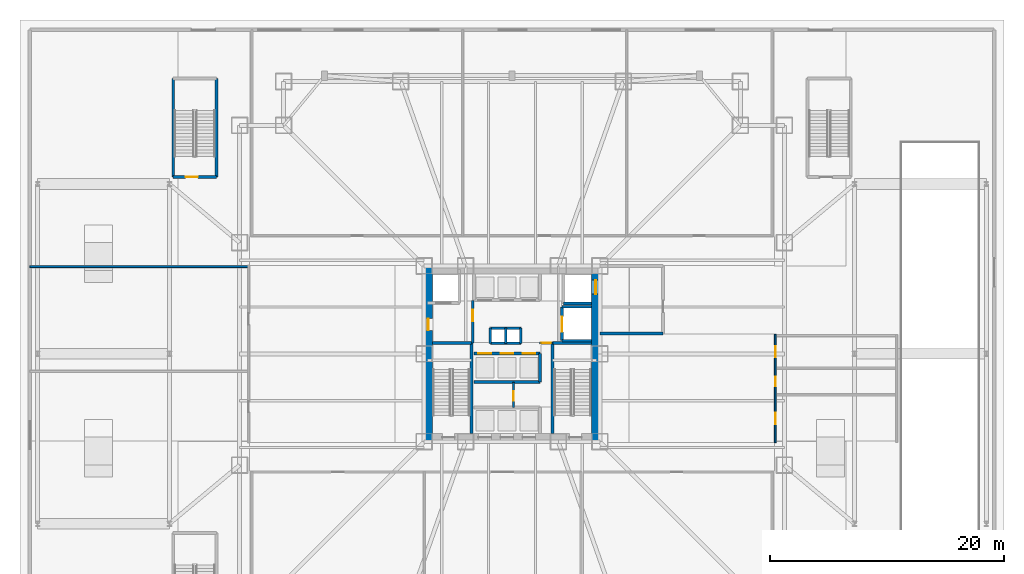
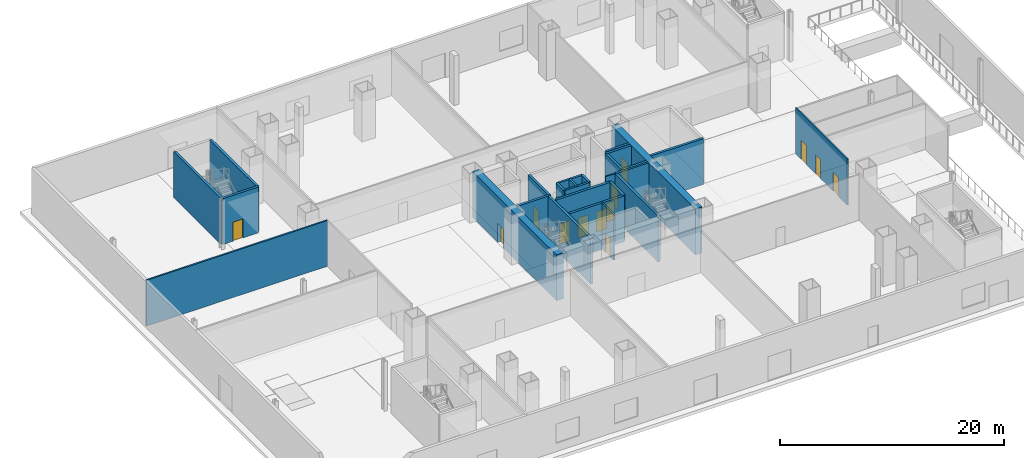
# One storey, part 8 of 24: 27 walls, 13 doors, 13 openings.
"""IFC4 building model written with IfcOpenShell, lengths in metres."""

import ifcopenshell
import ifcopenshell.guid

model = None  # the IFC model being written
_history = None  # IfcOwnerHistory: only IFC2X3 demands one
_inside = {}  # id of a spatial element -> (the spatial element, [elements in it])
_under = {}  # id of a project, library or spatial element -> (it, [spatial elements below it])
_declared = {}  # id of a project -> (the project, [libraries it declares])
_typed = {}  # id of a type object -> (the type object, [elements of that type])
_made_of = {}  # id of a material, layer set ... -> (it, [elements and type objects made of it])


def new_model(schema):
    """Start an empty IFC model of exactly this schema.

    Asked for "IFC4X3", IfcOpenShell would pick the latest addendum, in which some entities
    have other attributes; the version numbers below select the first issue.
    IFC2X3 requires an IfcOwnerHistory on every rooted entity: one is made here for all.
    """
    global model, _history
    if schema == "IFC4X3":
        model = ifcopenshell.file(schema_version=(4, 3, 0, 0))
    else:
        model = ifcopenshell.file(schema=schema)
    _inside.clear()
    _under.clear()
    _declared.clear()
    _typed.clear()
    _made_of.clear()
    _history = None
    if model.schema == "IFC2X3":
        org = make("IfcOrganization", Name="unknown")
        user = make(
            "IfcPersonAndOrganization",
            ThePerson=make("IfcPerson", FamilyName="unknown"),
            TheOrganization=org,
        )
        app = make(
            "IfcApplication",
            ApplicationDeveloper=org,
            Version="unknown",
            ApplicationFullName="unknown",
            ApplicationIdentifier="unknown",
        )
        _history = make(
            "IfcOwnerHistory",
            OwningUser=user,
            OwningApplication=app,
            ChangeAction="ADDED",
            CreationDate=0,
        )
    return model


def make(cls, **values):
    """One entity of the class cls with the attributes given. An attribute that is None is left unset."""
    return model.create_entity(
        cls, **{name: value for name, value in values.items() if value is not None}
    )


def rooted(cls, **values):
    """An entity with a GlobalId (a new one), such as an element, a storey or a relation."""
    return make(cls, GlobalId=ifcopenshell.guid.new(), OwnerHistory=_history, **values)


def si_unit(unit_type, name, prefix=None):
    """IfcSIUnit, for example si_unit("LENGTHUNIT", "METRE", prefix="MILLI")."""
    return make("IfcSIUnit", UnitType=unit_type, Prefix=prefix, Name=name)


def assignment(units):
    """IfcUnitAssignment: the units of a project."""
    return None if units is None else make("IfcUnitAssignment", Units=units)


def point(xyz):
    """IfcCartesianPoint."""
    return None if xyz is None else make("IfcCartesianPoint", Coordinates=xyz)


def direction(xyz):
    """IfcDirection."""
    return None if xyz is None else make("IfcDirection", DirectionRatios=xyz)


def frame(location, z_axis=None, x_axis=None):
    """IfcAxis2Placement3D, a coordinate frame: its origin and axes. An axis left out is left unset."""
    return make(
        "IfcAxis2Placement3D",
        Location=point(location),
        Axis=direction(z_axis),
        RefDirection=direction(x_axis),
    )


def frame_2d(location, x_axis=None):
    """IfcAxis2Placement2D, a coordinate frame in the plane: its origin and x axis."""
    return make(
        "IfcAxis2Placement2D", Location=point(location), RefDirection=direction(x_axis)
    )


def origin():
    """The frame at (0, 0, 0) with its axes left unset."""
    return frame((0.0, 0.0, 0.0))


def place(relative_to, where):
    """IfcLocalPlacement: puts the frame where relative to a parent placement (None: the world)."""
    return make(
        "IfcLocalPlacement", PlacementRelTo=relative_to, RelativePlacement=where
    )


def context(
    kind, dimensions, precision=None, world=None, true_north=None, identifier=None
):
    """IfcGeometricRepresentationContext, for example the 3D "Model" context."""
    return make(
        "IfcGeometricRepresentationContext",
        ContextIdentifier=identifier,
        ContextType=kind,
        CoordinateSpaceDimension=dimensions,
        Precision=precision,
        WorldCoordinateSystem=world,
        TrueNorth=true_north,
    )


def subcontext(parent, identifier, kind, view, scale=None):
    """IfcGeometricRepresentationSubContext, for example "Body" below "Model"."""
    return make(
        "IfcGeometricRepresentationSubContext",
        ContextIdentifier=identifier,
        ContextType=kind,
        ParentContext=parent,
        TargetScale=scale,
        TargetView=view,
    )


def project(units=None, contexts=None):
    """IfcProject with its units and contexts."""
    return rooted(
        "IfcProject",
        Name="project",
        RepresentationContexts=contexts,
        UnitsInContext=assignment(units),
    )


def spatial(cls, under=None, at=None, **own):
    """A site, building, storey or space (cls), placed at a placement, below another one or the project."""
    s = rooted(cls, ObjectPlacement=at, **own)
    if under is not None:
        _under.setdefault(under.id(), (under, []))[1].append(s)
    return s


def profile(cls, at=None, kind="AREA", **sizes):
    """A parametric profile (cls). Its sizes go by their IFC names, for example OverallWidth=200.0."""
    return make(cls, ProfileType=kind, Position=at, **sizes)


def rectangle(**sizes):
    """IfcRectangleProfileDef."""
    return profile("IfcRectangleProfileDef", **sizes)


def extrude(swept, where, along, depth):
    """IfcExtrudedAreaSolid: the profile swept, set in the frame where, extruded along a direction by depth."""
    return make(
        "IfcExtrudedAreaSolid",
        SweptArea=swept,
        Position=where,
        ExtrudedDirection=direction(along),
        Depth=depth,
    )


def shape(context_of_items, identifier, shape_type, items):
    """IfcShapeRepresentation: the items that make up one representation, for example the "Body"."""
    return make(
        "IfcShapeRepresentation",
        ContextOfItems=context_of_items,
        RepresentationIdentifier=identifier,
        RepresentationType=shape_type,
        Items=items,
    )


def material(Name=None, Category=None):
    """IfcMaterial."""
    return make("IfcMaterial", Name=Name, Category=Category)


def layer(
    of_material, thickness, ventilated=None, Name=None, Category=None, Priority=None
):
    """IfcMaterialLayer: one layer of a wall or slab, of a material (None: an air gap)."""
    return make(
        "IfcMaterialLayer",
        Material=of_material,
        LayerThickness=thickness,
        IsVentilated=ventilated,
        Name=Name,
        Category=Category,
        Priority=Priority,
    )


def layer_set(layers, Name=None):
    """IfcMaterialLayerSet."""
    return make("IfcMaterialLayerSet", MaterialLayers=layers, LayerSetName=Name)


def made_of(thing, what):
    """Note that an element or type object is made of a material, layer set ...; save() writes the relation."""
    if what is not None:
        _made_of.setdefault(what.id(), (what, []))[1].append(thing)
    return thing


def type_object(cls, material=None, **own):
    """A type object (cls), such as IfcWallType, which elements share."""
    return made_of(rooted(cls, **own), material)


def element(
    cls,
    number,
    at=None,
    inside=None,
    cuts=None,
    type_object=None,
    material=None,
    context=None,
    identifier="Body",
    shape_type=None,
    held_by="IfcProductDefinitionShape",
    body=None,
    shapes=None,
    **own,
):
    """One element of the class cls, such as IfcWall. Its Tag is "e" and its number.

    at: its placement. inside: the storey or other place that contains it. cuts: it is an
    opening in that element (IfcRelVoidsElement). A single representation is given by context,
    identifier, shape_type and body (its items); several are given by shapes. held_by: the class
    of the entity that holds the representations. save() writes the other relations.
    """
    e = rooted(cls, Tag="e%d" % number, ObjectPlacement=at, **own)
    if body is not None:
        shapes = [shape(context, identifier, shape_type, body)]
    if shapes is not None:
        e.Representation = make(held_by, Representations=shapes)
    if inside is not None:
        _inside.setdefault(inside.id(), (inside, []))[1].append(e)
    if cuts is not None:
        rooted(
            "IfcRelVoidsElement", RelatingBuildingElement=cuts, RelatedOpeningElement=e
        )
    if type_object is not None:
        _typed.setdefault(type_object.id(), (type_object, []))[1].append(e)
    return made_of(e, material)


def fill(opening, filler):
    """IfcRelFillsElement: the door or window that sits in an opening."""
    return rooted(
        "IfcRelFillsElement",
        RelatingOpeningElement=opening,
        RelatedBuildingElement=filler,
    )


def aggregate(whole, parts):
    """IfcRelAggregates: a whole, such as a stair, and the parts it consists of."""
    return rooted("IfcRelAggregates", RelatingObject=whole, RelatedObjects=parts)


def save(model, path):
    """Write the relations noted so far, then the file.

    IfcRelAggregates (storeys below a building ...), IfcRelContainedInSpatialStructure (elements
    in a storey), IfcRelDefinesByType, IfcRelAssociatesMaterial and IfcRelDeclares: one each for
    every whole, place, type object, material and project.
    """
    for whole, parts in _under.values():
        aggregate(whole, parts)
    for where, things in _inside.values():
        rooted(
            "IfcRelContainedInSpatialStructure",
            RelatedElements=things,
            RelatingStructure=where,
        )
    for kind, things in _typed.values():
        rooted("IfcRelDefinesByType", RelatedObjects=things, RelatingType=kind)
    for what, things in _made_of.values():
        rooted("IfcRelAssociatesMaterial", RelatedObjects=things, RelatingMaterial=what)
    for by, libraries in _declared.values():
        rooted("IfcRelDeclares", RelatingContext=by, RelatedDefinitions=libraries)
    model.write(path)


model = new_model("IFC4")

# Units and contexts
model_context = context("Model", 3, precision=1e-05, world=origin(), true_north=direction((0.0, 1.0)))
body_context = subcontext(model_context, "Body", "Model", "MODEL_VIEW")
ifc_project = project(units=[si_unit("LENGTHUNIT", "METRE"), si_unit("AREAUNIT", "SQUARE_METRE"), si_unit("VOLUMEUNIT", "CUBIC_METRE"), si_unit("PLANEANGLEUNIT", "RADIAN"), si_unit("MASSUNIT", "GRAM", prefix="KILO")], contexts=[model_context])

# Site, building, storey
site_placement = place(None, origin())
site = spatial("IfcSite", under=ifc_project, at=site_placement, CompositionType="ELEMENT")
building_placement = place(site_placement, origin())
building = spatial("IfcBuilding", under=site, at=building_placement, Name="Trevonay Congress Spire", CompositionType="ELEMENT")
storey_placement = place(building_placement, origin())
storey = spatial("IfcBuildingStorey", under=building, at=storey_placement, Name="L00", CompositionType="ELEMENT", Elevation=0.0)

# Wall, opening, door
ifc_material_1 = material(Name="Concrete C60/75", Category="concrete")
ifc_layer_1 = layer(ifc_material_1, 0.699951171875, Name="Concrete C60/75")
ifc_layer_set_1 = layer_set([ifc_layer_1], Name="Concrete C60/75")
wall_type_1 = type_object("IfcWallType", Name="WAL-CORE-700", PredefinedType="SHEAR", material=ifc_layer_set_1)
wall_1_placement = place(storey_placement, frame((-7.14990234375, -7.5, 0.0), z_axis=(0.0, 0.0, 1.0), x_axis=(0.0, 1.0, 0.0)))
wall_1 = element("IfcWall", 1, at=wall_1_placement, inside=storey, type_object=wall_type_1, Name="L00 West structural core shear wall", PredefinedType="SHEAR", context=body_context, shape_type="SweptSolid", body=[
    extrude(rectangle(XDim=15.0, YDim=0.699951171875, at=frame_2d((7.5, 0.0))), origin(), (0.0, 0.0, 1.0), 5.0),
])
opening_1_placement = place(wall_1_placement, frame((9.5, 0.0, 0.0)))
opening_1 = element("IfcOpeningElement", 2, at=opening_1_placement, cuts=wall_1, Name="Opening D06", PredefinedType="OPENING", context=body_context, shape_type="SweptSolid", body=[
    extrude(rectangle(XDim=1.0, YDim=2.080078125, at=frame_2d((0.5, 1.0400390625))), frame((0.0, 0.35986328125, 0.0), z_axis=(0.0, -1.0, 0.0), x_axis=(1.0, 0.0, 0.0)), (0.0, 0.0, 1.0), 0.719970703125),
])
ifc_material_2 = material(Name="Steel ASTM A572 Grade 50", Category="steel")
door_type_1 = type_object("IfcDoorType", Name="DOR-FIRE-100", OperationType="NOTDEFINED", PredefinedType="DOOR", material=ifc_material_2)
door_1_placement = place(opening_1_placement, origin())
door_1 = element("IfcDoor", 3, at=door_1_placement, inside=storey, type_object=door_type_1, Name="L00 Firefighting Lift Lobby West Corridor Door", OperationType="SINGLE_SWING_LEFT", OverallHeight=2.080078125, OverallWidth=1.0, PredefinedType="DOOR", context=body_context, shape_type="SweptSolid", body=[
    extrude(rectangle(XDim=1.0, YDim=2.080078125, at=frame_2d((0.5, 1.0400390625))), frame((0.0, 0.02490234375, 0.0), z_axis=(0.0, -1.0, 0.0), x_axis=(1.0, 0.0, 0.0)), (0.0, 0.0, 1.0), 0.050048828125),
])
fill(opening_1, door_1)

wall_2_placement = place(storey_placement, frame((7.14990234375, -7.5, 0.0), z_axis=(0.0, 0.0, 1.0), x_axis=(0.0, 1.0, 0.0)))
wall_2 = element("IfcWall", 4, at=wall_2_placement, inside=storey, type_object=wall_type_1, Name="L00 East structural core shear wall", PredefinedType="SHEAR", context=body_context, shape_type="SweptSolid", body=[
    extrude(rectangle(XDim=15.0, YDim=0.699951171875, at=frame_2d((7.5, 0.0))), origin(), (0.0, 0.0, 1.0), 5.0),
])
opening_2_placement = place(wall_2_placement, frame((12.60009765625, 0.0, 0.0)))
opening_2 = element("IfcOpeningElement", 5, at=opening_2_placement, cuts=wall_2, Name="Opening LD04", PredefinedType="OPENING", context=body_context, shape_type="SweptSolid", body=[
    extrude(rectangle(XDim=1.199951171875, YDim=2.199951171875, at=frame_2d((0.60009765625, 1.10009765625))), frame((0.0, 0.35986328125, 0.0), z_axis=(0.0, -1.0, 0.0), x_axis=(1.0, 0.0, 0.0)), (0.0, 0.0, 1.0), 0.719970703125),
])
door_type_2 = type_object("IfcDoorType", Name="DOR-LIFT-LD04", OperationType="DOUBLE_DOOR_SLIDING", PredefinedType="DOOR", material=ifc_material_2)
door_2_placement = place(opening_2_placement, origin())
door_2 = element("IfcDoor", 6, at=door_2_placement, inside=storey, type_object=door_type_2, Name="L00 Firefighting lift FFL-02 landing door", OperationType="DOUBLE_DOOR_SLIDING", OverallHeight=2.199951171875, OverallWidth=1.199951171875, PredefinedType="DOOR", context=body_context, shape_type="SweptSolid", body=[
    extrude(rectangle(XDim=1.199951171875, YDim=2.199951171875, at=frame_2d((0.60009765625, 1.10009765625))), frame((0.0, 0.02490234375, 0.0), z_axis=(0.0, -1.0, 0.0), x_axis=(1.0, 0.0, 0.0)), (0.0, 0.0, 1.0), 0.050048828125),
])
fill(opening_2, door_2)

# Wall, openings, doors
ifc_material_3 = material(Name="Concrete C40/50", Category="concrete")
ifc_layer_2 = layer(ifc_material_3, 0.14990234375, Name="Concrete C40/50")
ifc_layer_set_2 = layer_set([ifc_layer_2], Name="Concrete C40/50")
wall_type_2 = type_object("IfcWallType", Name="WAL-CORR-150", PredefinedType="PARTITIONING", material=ifc_layer_set_2)
wall_3_placement = place(storey_placement, frame((22.47998046875, -7.570068359375, 0.0), z_axis=(0.0, 0.0, 1.0), x_axis=(0.0, 1.0, 0.0)))
wall_3 = element("IfcWall", 7, at=wall_3_placement, inside=storey, type_object=wall_type_2, Name="L00 interior wall WP-L00E-COR", PredefinedType="PARTITIONING", context=body_context, shape_type="SweptSolid", body=[
    extrude(rectangle(XDim=9.239990234375, YDim=0.14990234375, at=frame_2d((4.6201171875, 0.0))), origin(), (0.0, 0.0, 1.0), 5.0),
])
opening_3_placement = place(wall_3_placement, frame((1.580078125, 0.0, 0.0)))
opening_3 = element("IfcOpeningElement", 8, at=opening_3_placement, cuts=wall_3, Name="Opening D07", PredefinedType="OPENING", context=body_context, shape_type="SweptSolid", body=[
    extrude(rectangle(XDim=0.949951171875, YDim=2.06005859375, at=frame_2d((0.47509765625, 1.030029296875))), frame((0.0, 0.0849609375, 0.0), z_axis=(0.0, -1.0, 0.0), x_axis=(1.0, 0.0, 0.0)), (0.0, 0.0, 1.0), 0.169921875),
])
opening_4_placement = place(wall_3_placement, frame((4.784912109375, 0.0, 0.0)))
opening_4 = element("IfcOpeningElement", 9, at=opening_4_placement, cuts=wall_3, Name="Opening D10", PredefinedType="OPENING", context=body_context, shape_type="SweptSolid", body=[
    extrude(rectangle(XDim=0.85009765625, YDim=2.050048828125, at=frame_2d((0.425048828125, 1.02490234375))), frame((0.0, 0.0849609375, 0.0), z_axis=(0.0, -1.0, 0.0), x_axis=(1.0, 0.0, 0.0)), (0.0, 0.0, 1.0), 0.169921875),
])
opening_5_placement = place(wall_3_placement, frame((7.260009765625, 0.0, 0.0)))
opening_5 = element("IfcOpeningElement", 10, at=opening_5_placement, cuts=wall_3, Name="Opening D07", PredefinedType="OPENING", context=body_context, shape_type="SweptSolid", body=[
    extrude(rectangle(XDim=0.949951171875, YDim=2.06005859375, at=frame_2d((0.47509765625, 1.030029296875))), frame((0.0, 0.0849609375, 0.0), z_axis=(0.0, -1.0, 0.0), x_axis=(1.0, 0.0, 0.0)), (0.0, 0.0, 1.0), 0.169921875),
])
ifc_material_4 = material(Name="Pale Anodised Aluminium EN AW-6063-T6", Category="aluminium")
door_type_3 = type_object("IfcDoorType", Name="DOR-OFFICE-95", OperationType="NOTDEFINED", PredefinedType="DOOR", material=ifc_material_4)
door_3_placement = place(opening_3_placement, origin())
door_3 = element("IfcDoor", 11, at=door_3_placement, inside=storey, type_object=door_type_3, Name="L00 Civic Exhibition Information Lounge Door", OperationType="SINGLE_SWING_LEFT", OverallHeight=2.06005859375, OverallWidth=0.949951171875, PredefinedType="DOOR", context=body_context, shape_type="SweptSolid", body=[
    extrude(rectangle(XDim=0.949951171875, YDim=2.06005859375, at=frame_2d((0.47509765625, 1.030029296875))), frame((0.0, 0.02490234375, 0.0), z_axis=(0.0, -1.0, 0.0), x_axis=(1.0, 0.0, 0.0)), (0.0, 0.0, 1.0), 0.050048828125),
])
fill(opening_3, door_3)
door_4_placement = place(opening_5_placement, origin())
door_4 = element("IfcDoor", 12, at=door_4_placement, inside=storey, type_object=door_type_3, Name="L00 Floor Supplies and Copy Room Door", OperationType="SINGLE_SWING_LEFT", OverallHeight=2.06005859375, OverallWidth=0.949951171875, PredefinedType="DOOR", context=body_context, shape_type="SweptSolid", body=[
    extrude(rectangle(XDim=0.949951171875, YDim=2.06005859375, at=frame_2d((0.47509765625, 1.030029296875))), frame((0.0, 0.02490234375, 0.0), z_axis=(0.0, -1.0, 0.0), x_axis=(1.0, 0.0, 0.0)), (0.0, 0.0, 1.0), 0.050048828125),
])
fill(opening_5, door_4)
door_type_4 = type_object("IfcDoorType", Name="DOR-WC-85", OperationType="NOTDEFINED", PredefinedType="DOOR", material=ifc_material_4)
door_5_placement = place(opening_4_placement, origin())
door_5 = element("IfcDoor", 13, at=door_5_placement, inside=storey, type_object=door_type_4, Name="L00 Male Public Restroom WC Door", OperationType="SINGLE_SWING_RIGHT", OverallHeight=2.050048828125, OverallWidth=0.85009765625, PredefinedType="DOOR", context=body_context, shape_type="SweptSolid", body=[
    extrude(rectangle(XDim=0.85009765625, YDim=2.050048828125, at=frame_2d((0.425048828125, 1.02490234375))), frame((0.0, 0.02490234375, 0.0), z_axis=(0.0, -1.0, 0.0), x_axis=(1.0, 0.0, 0.0)), (0.0, 0.0, 1.0), 0.050048828125),
])
fill(opening_4, door_5)

# Wall, opening, door
ifc_layer_3 = layer(ifc_material_3, 0.14990234375, Name="Concrete C40/50")
ifc_layer_set_3 = layer_set([ifc_layer_3], Name="Concrete C40/50")
wall_type_3 = type_object("IfcWallType", Name="WAL-PART-150", PredefinedType="PARTITIONING", material=ifc_layer_set_3)
wall_4_placement = place(storey_placement, frame((2.3798828125, 0.919921875, 0.0), z_axis=(0.0, 0.0, 1.0), x_axis=(1.0, 0.0, 0.0)))
wall_4 = element("IfcWall", 14, at=wall_4_placement, inside=storey, type_object=wall_type_3, Name="L00 interior wall CW-CSRV-N-L00", PredefinedType="PARTITIONING", context=body_context, shape_type="SweptSolid", body=[
    extrude(rectangle(XDim=1.090087890625, YDim=0.14990234375, at=frame_2d((0.544921875, 0.0))), origin(), (0.0, 0.0, 1.0), 5.0),
])
opening_6_placement = place(wall_4_placement, frame((0.135009765625, 0.0, 0.0)))
opening_6 = element("IfcOpeningElement", 15, at=opening_6_placement, cuts=wall_4, Name="Opening D13", PredefinedType="OPENING", context=body_context, shape_type="SweptSolid", body=[
    extrude(rectangle(XDim=0.820068359375, YDim=2.050048828125, at=frame_2d((0.41015625, 1.02490234375))), frame((0.0, 0.0849609375, 0.0), z_axis=(0.0, -1.0, 0.0), x_axis=(1.0, 0.0, 0.0)), (0.0, 0.0, 1.0), 0.169921875),
])
door_type_5 = type_object("IfcDoorType", Name="DOR-UTIL-80", OperationType="NOTDEFINED", PredefinedType="DOOR", material=ifc_material_2)
door_6_placement = place(opening_6_placement, origin())
door_6 = element("IfcDoor", 16, at=door_6_placement, inside=storey, type_object=door_type_5, Name="L00 Core Service Pocket Door", OperationType="SINGLE_SWING_LEFT", OverallHeight=2.050048828125, OverallWidth=0.820068359375, PredefinedType="DOOR", context=body_context, shape_type="SweptSolid", body=[
    extrude(rectangle(XDim=0.820068359375, YDim=2.050048828125, at=frame_2d((0.41015625, 1.02490234375))), frame((0.0, 0.02490234375, 0.0), z_axis=(0.0, -1.0, 0.0), x_axis=(1.0, 0.0, 0.0)), (0.0, 0.0, 1.0), 0.050048828125),
])
fill(opening_6, door_6)

wall_5_placement = place(storey_placement, frame((0.1201171875, -4.570068359375, 0.0), z_axis=(0.0, 0.0, 1.0), x_axis=(0.0, 1.0, 0.0)))
wall_5 = element("IfcWall", 17, at=wall_5_placement, inside=storey, type_object=wall_type_3, Name="L00 interior wall CW-K1-L00", PredefinedType="PARTITIONING", context=body_context, shape_type="SweptSolid", body=[
    extrude(rectangle(XDim=2.14013671875, YDim=0.14990234375, at=frame_2d((1.070068359375, 0.0))), origin(), (0.0, 0.0, 1.0), 5.0),
])
opening_7_placement = place(wall_5_placement, frame((0.550048828125, 0.0, 0.0)))
opening_7 = element("IfcOpeningElement", 18, at=opening_7_placement, cuts=wall_5, Name="Opening D13", PredefinedType="OPENING", context=body_context, shape_type="SweptSolid", body=[
    extrude(rectangle(XDim=0.820068359375, YDim=2.050048828125, at=frame_2d((0.41015625, 1.02490234375))), frame((0.0, 0.0849609375, 0.0), z_axis=(0.0, -1.0, 0.0), x_axis=(1.0, 0.0, 0.0)), (0.0, 0.0, 1.0), 0.169921875),
])
door_7_placement = place(opening_7_placement, origin())
door_7 = element("IfcDoor", 19, at=door_7_placement, inside=storey, type_object=door_type_5, Name="L00 Core Closet Door", OperationType="SINGLE_SWING_RIGHT", OverallHeight=2.050048828125, OverallWidth=0.820068359375, PredefinedType="DOOR", context=body_context, shape_type="SweptSolid", body=[
    extrude(rectangle(XDim=0.820068359375, YDim=2.050048828125, at=frame_2d((0.41015625, 1.02490234375))), frame((0.0, 0.02490234375, 0.0), z_axis=(0.0, -1.0, 0.0), x_axis=(1.0, 0.0, 0.0)), (0.0, 0.0, 1.0), 0.050048828125),
])
fill(opening_7, door_7)

# Walls
ifc_layer_4 = layer(ifc_material_3, 0.219970703125, Name="Concrete C40/50")
ifc_layer_set_4 = layer_set([ifc_layer_4], Name="Concrete C40/50")
wall_type_4 = type_object("IfcWallType", Name="WAL-SHAFT-220", PredefinedType="PARTITIONING", material=ifc_layer_set_4)
for number, where, z_axis, x_axis, name in (
    (20, (-1.85009765625, 2.199951171875, 0.0), (0.0, 0.0, 1.0), (1.0, 0.0, 0.0), "L00 interior shaft wall WSH-L00-RSR-N"),
    (21, (-1.85009765625, 0.89990234375, 0.0), (0.0, 0.0, 1.0), (1.0, 0.0, 0.0), "L00 interior shaft wall WSH-L00-RSR-S"),
):
    element("IfcWall", number, at=place(storey_placement, frame(where, z_axis=z_axis, x_axis=x_axis)), inside=storey, type_object=wall_type_4, Name=name, PredefinedType="PARTITIONING", context=body_context, shape_type="SweptSolid", body=[
        extrude(rectangle(XDim=2.60009765625, YDim=0.219970703125, at=frame_2d((1.300048828125, 0.0))), origin(), (0.0, 0.0, 1.0), 5.0),
    ])
for number, where, z_axis, x_axis, name in (
    (22, (-0.550048828125, 0.89990234375, 0.0), (0.0, 0.0, 1.0), (0.0, 1.0, 0.0), "L00 interior shaft wall WSH-L00-RSR-M"),
    (23, (0.75, 0.89990234375, 0.0), (0.0, 0.0, 1.0), (0.0, 1.0, 0.0), "L00 interior shaft wall WSH-L00-RSR-E"),
    (24, (-1.85009765625, 0.89990234375, 0.0), (0.0, 0.0, 1.0), (0.0, 1.0, 0.0), "L00 interior shaft wall WSH-L00-RSR-W"),
):
    element("IfcWall", number, at=place(storey_placement, frame(where, z_axis=z_axis, x_axis=x_axis)), inside=storey, type_object=wall_type_4, Name=name, PredefinedType="PARTITIONING", context=body_context, shape_type="SweptSolid", body=[
        extrude(rectangle(XDim=1.300048828125, YDim=0.219970703125, at=frame_2d((0.64990234375, 0.0))), origin(), (0.0, 0.0, 1.0), 5.0),
    ])

# Wall, openings, doors
ifc_layer_5 = layer(ifc_material_3, 0.25, Name="Concrete C40/50")
ifc_layer_set_5 = layer_set([ifc_layer_5], Name="Concrete C40/50")
wall_type_5 = type_object("IfcWallType", Name="WAL-SHAFT-250", PredefinedType="SHEAR", material=ifc_layer_set_5)
wall_6_placement = place(storey_placement, frame((-3.260009765625, 0.02001953125, 0.0), z_axis=(0.0, 0.0, 1.0), x_axis=(1.0, 0.0, 0.0)))
wall_6 = element("IfcWall", 25, at=wall_6_placement, inside=storey, type_object=wall_type_5, Name="L00 interior shaft wall WSH-L00-B2-N", PredefinedType="SHEAR", context=body_context, shape_type="SweptSolid", body=[
    extrude(rectangle(XDim=5.639892578125, YDim=0.25, at=frame_2d((2.81982421875, 0.0))), origin(), (0.0, 0.0, 1.0), 5.0),
])
opening_8_placement = place(wall_6_placement, frame((0.39990234375, 0.0, 0.0)))
opening_8 = element("IfcOpeningElement", 26, at=opening_8_placement, cuts=wall_6, Name="Opening LD02", PredefinedType="OPENING", context=body_context, shape_type="SweptSolid", body=[
    extrude(rectangle(XDim=1.10009765625, YDim=2.199951171875, at=frame_2d((0.550048828125, 1.10009765625))), frame((0.0, 0.135009765625, 0.0), z_axis=(0.0, -1.0, 0.0), x_axis=(1.0, 0.0, 0.0)), (0.0, 0.0, 1.0), 0.27001953125),
])
opening_9_placement = place(wall_6_placement, frame((2.280029296875, 0.0, 0.0)))
opening_9 = element("IfcOpeningElement", 27, at=opening_9_placement, cuts=wall_6, Name="Opening LD02", PredefinedType="OPENING", context=body_context, shape_type="SweptSolid", body=[
    extrude(rectangle(XDim=1.10009765625, YDim=2.199951171875, at=frame_2d((0.550048828125, 1.10009765625))), frame((0.0, 0.135009765625, 0.0), z_axis=(0.0, -1.0, 0.0), x_axis=(1.0, 0.0, 0.0)), (0.0, 0.0, 1.0), 0.27001953125),
])
opening_10_placement = place(wall_6_placement, frame((4.159912109375, 0.0, 0.0)))
opening_10 = element("IfcOpeningElement", 28, at=opening_10_placement, cuts=wall_6, Name="Opening LD02", PredefinedType="OPENING", context=body_context, shape_type="SweptSolid", body=[
    extrude(rectangle(XDim=1.10009765625, YDim=2.199951171875, at=frame_2d((0.550048828125, 1.10009765625))), frame((0.0, 0.135009765625, 0.0), z_axis=(0.0, -1.0, 0.0), x_axis=(1.0, 0.0, 0.0)), (0.0, 0.0, 1.0), 0.27001953125),
])
door_type_6 = type_object("IfcDoorType", Name="DOR-LIFT-LD02", OperationType="DOUBLE_DOOR_SLIDING", PredefinedType="DOOR", material=ifc_material_4)
door_8_placement = place(opening_8_placement, origin())
door_8 = element("IfcDoor", 29, at=door_8_placement, inside=storey, type_object=door_type_6, Name="L00 Passenger lift PL-04 landing door", OperationType="DOUBLE_DOOR_SLIDING", OverallHeight=2.199951171875, OverallWidth=1.10009765625, PredefinedType="DOOR", context=body_context, shape_type="SweptSolid", body=[
    extrude(rectangle(XDim=1.10009765625, YDim=2.199951171875, at=frame_2d((0.550048828125, 1.10009765625))), frame((0.0, 0.02490234375, 0.0), z_axis=(0.0, -1.0, 0.0), x_axis=(1.0, 0.0, 0.0)), (0.0, 0.0, 1.0), 0.050048828125),
])
fill(opening_8, door_8)
door_9_placement = place(opening_9_placement, origin())
door_9 = element("IfcDoor", 30, at=door_9_placement, inside=storey, type_object=door_type_6, Name="L00 Passenger lift PL-05 landing door", OperationType="DOUBLE_DOOR_SLIDING", OverallHeight=2.199951171875, OverallWidth=1.10009765625, PredefinedType="DOOR", context=body_context, shape_type="SweptSolid", body=[
    extrude(rectangle(XDim=1.10009765625, YDim=2.199951171875, at=frame_2d((0.550048828125, 1.10009765625))), frame((0.0, 0.02490234375, 0.0), z_axis=(0.0, -1.0, 0.0), x_axis=(1.0, 0.0, 0.0)), (0.0, 0.0, 1.0), 0.050048828125),
])
fill(opening_9, door_9)
door_10_placement = place(opening_10_placement, origin())
door_10 = element("IfcDoor", 31, at=door_10_placement, inside=storey, type_object=door_type_6, Name="L00 Passenger lift PL-06 landing door", OperationType="DOUBLE_DOOR_SLIDING", OverallHeight=2.199951171875, OverallWidth=1.10009765625, PredefinedType="DOOR", context=body_context, shape_type="SweptSolid", body=[
    extrude(rectangle(XDim=1.10009765625, YDim=2.199951171875, at=frame_2d((0.550048828125, 1.10009765625))), frame((0.0, 0.02490234375, 0.0), z_axis=(0.0, -1.0, 0.0), x_axis=(1.0, 0.0, 0.0)), (0.0, 0.0, 1.0), 0.050048828125),
])
fill(opening_10, door_10)

# Walls
wall_7_placement = place(storey_placement, frame((-3.260009765625, -2.419921875, 0.0), z_axis=(0.0, 0.0, 1.0), x_axis=(1.0, 0.0, 0.0)))
element("IfcWall", 32, at=wall_7_placement, inside=storey, type_object=wall_type_5, Name="L00 interior shaft wall WSH-L00-B2-S", PredefinedType="SHEAR", context=body_context, shape_type="SweptSolid", body=[
    extrude(rectangle(XDim=5.639892578125, YDim=0.25, at=frame_2d((2.81982421875, 0.0))), origin(), (0.0, 0.0, 1.0), 5.0),
])
wall_8_placement = place(storey_placement, frame((2.3798828125, -2.419921875, 0.0), z_axis=(0.0, 0.0, 1.0), x_axis=(0.0, 1.0, 0.0)))
element("IfcWall", 33, at=wall_8_placement, inside=storey, type_object=wall_type_5, Name="L00 interior shaft wall WSH-L00-B2-E", PredefinedType="SHEAR", context=body_context, shape_type="SweptSolid", body=[
    extrude(rectangle(XDim=2.43994140625, YDim=0.25, at=frame_2d((1.219970703125, 0.0))), origin(), (0.0, 0.0, 1.0), 5.0),
])
wall_9_placement = place(storey_placement, frame((4.3798828125, 4.300048828125, 0.0), z_axis=(0.0, 0.0, 1.0), x_axis=(1.0, 0.0, 0.0)))
element("IfcWall", 34, at=wall_9_placement, inside=storey, type_object=wall_type_5, Name="L00 interior shaft wall WSH-L00-FF2-S", PredefinedType="SHEAR", context=body_context, shape_type="SweptSolid", body=[
    extrude(rectangle(XDim=2.420166015625, YDim=0.25, at=frame_2d((1.2099609375, 0.0))), origin(), (0.0, 0.0, 1.0), 5.0),
])

# Wall, opening, door
wall_10_placement = place(storey_placement, frame((4.280029296875, 1.1201171875, 0.0), z_axis=(0.0, 0.0, 1.0), x_axis=(0.0, 1.0, 0.0)))
wall_10 = element("IfcWall", 35, at=wall_10_placement, inside=storey, type_object=wall_type_5, Name="L00 interior shaft wall WSH-L00-SV-W", PredefinedType="SHEAR", context=body_context, shape_type="SweptSolid", body=[
    extrude(rectangle(XDim=2.89990234375, YDim=0.25, at=frame_2d((1.449951171875, 0.0))), origin(), (0.0, 0.0, 1.0), 5.0),
])
opening_11_placement = place(wall_10_placement, frame((0.75, 0.0, 0.0)))
opening_11 = element("IfcOpeningElement", 36, at=opening_11_placement, cuts=wall_10, Name="Opening LD05", PredefinedType="OPENING", context=body_context, shape_type="SweptSolid", body=[
    extrude(rectangle(XDim=1.300048828125, YDim=2.300048828125, at=frame_2d((0.64990234375, 1.14990234375))), frame((0.0, 0.135009765625, 0.0), z_axis=(0.0, -1.0, 0.0), x_axis=(1.0, 0.0, 0.0)), (0.0, 0.0, 1.0), 0.27001953125),
])
door_type_7 = type_object("IfcDoorType", Name="DOR-LIFT-LD05", OperationType="DOUBLE_DOOR_SLIDING", PredefinedType="DOOR", material=ifc_material_2)
door_11_placement = place(opening_11_placement, origin())
door_11 = element("IfcDoor", 37, at=door_11_placement, inside=storey, type_object=door_type_7, Name="L00 Goods lift SVL-01 landing door", OperationType="DOUBLE_DOOR_SLIDING", OverallHeight=2.300048828125, OverallWidth=1.300048828125, PredefinedType="DOOR", context=body_context, shape_type="SweptSolid", body=[
    extrude(rectangle(XDim=1.300048828125, YDim=2.300048828125, at=frame_2d((0.64990234375, 1.14990234375))), frame((0.0, 0.02490234375, 0.0), z_axis=(0.0, -1.0, 0.0), x_axis=(1.0, 0.0, 0.0)), (0.0, 0.0, 1.0), 0.050048828125),
])
fill(opening_11, door_11)

# Walls
for number, where, z_axis, x_axis, name in (
    (38, (4.280029296875, 1.1201171875, 0.0), (0.0, 0.0, 1.0), (1.0, 0.0, 0.0), "L00 interior shaft wall WSH-L00-SV-S"),
    (39, (4.280029296875, 4.02001953125, 0.0), (0.0, 0.0, 1.0), (1.0, 0.0, 0.0), "L00 interior shaft wall WSH-L00-SV-N"),
):
    element("IfcWall", number, at=place(storey_placement, frame(where, z_axis=z_axis, x_axis=x_axis)), inside=storey, type_object=wall_type_5, Name=name, PredefinedType="SHEAR", context=body_context, shape_type="SweptSolid", body=[
        extrude(rectangle(XDim=2.52001953125, YDim=0.25, at=frame_2d((1.260009765625, 0.0))), origin(), (0.0, 0.0, 1.0), 5.0),
    ])

# Wall, opening, door
wall_11_placement = place(storey_placement, frame((-3.35009765625, 0.919921875, 0.0), z_axis=(0.0, 0.0, 1.0), x_axis=(0.0, 1.0, 0.0)))
wall_11 = element("IfcWall", 40, at=wall_11_placement, inside=storey, type_object=wall_type_5, Name="L00 interior wall CW-FFLW-E-L00", PredefinedType="SHEAR", context=body_context, shape_type="SweptSolid", body=[
    extrude(rectangle(XDim=3.6201171875, YDim=0.25, at=frame_2d((1.81005859375, 0.0))), origin(), (0.0, 0.0, 1.0), 5.0),
])
opening_12_placement = place(wall_11_placement, frame((1.85009765625, 0.0, 0.0)))
opening_12 = element("IfcOpeningElement", 41, at=opening_12_placement, cuts=wall_11, Name="Opening D06", PredefinedType="OPENING", context=body_context, shape_type="SweptSolid", body=[
    extrude(rectangle(XDim=1.0, YDim=2.080078125, at=frame_2d((0.5, 1.0400390625))), frame((0.0, 0.135009765625, 0.0), z_axis=(0.0, -1.0, 0.0), x_axis=(1.0, 0.0, 0.0)), (0.0, 0.0, 1.0), 0.27001953125),
])
door_12_placement = place(opening_12_placement, origin())
door_12 = element("IfcDoor", 42, at=door_12_placement, inside=storey, type_object=door_type_1, Name="L00 Firefighting Core Lobby Transfer Door", OperationType="SINGLE_SWING_RIGHT", OverallHeight=2.080078125, OverallWidth=1.0, PredefinedType="DOOR", context=body_context, shape_type="SweptSolid", body=[
    extrude(rectangle(XDim=1.0, YDim=2.080078125, at=frame_2d((0.5, 1.0400390625))), frame((0.0, 0.02490234375, 0.0), z_axis=(0.0, -1.0, 0.0), x_axis=(1.0, 0.0, 0.0)), (0.0, 0.0, 1.0), 0.050048828125),
])
fill(opening_12, door_12)

# Walls
wall_12_placement = place(storey_placement, frame((7.5, 1.75, 0.0), z_axis=(0.0, 0.0, 1.0), x_axis=(1.0, 0.0, 0.0)))
element("IfcWall", 43, at=wall_12_placement, inside=storey, type_object=wall_type_5, Name="L00 interior wall WP-L00-FFLE-S", PredefinedType="SHEAR", context=body_context, shape_type="SweptSolid", body=[
    extrude(rectangle(XDim=5.39990234375, YDim=0.25, at=frame_2d((2.699951171875, 0.0))), origin(), (0.0, 0.0, 1.0), 5.0),
])
ifc_layer_6 = layer(ifc_material_3, 0.25, Name="Concrete C40/50")
ifc_layer_set_6 = layer_set([ifc_layer_6], Name="Concrete C40/50")
wall_type_6 = type_object("IfcWallType", Name="WAL-SHAFT-LB-250", PredefinedType="SHEAR", material=ifc_layer_set_6)
wall_13_placement = place(storey_placement, frame((-3.469970703125, -6.800048828125, 0.0), z_axis=(0.0, 0.0, 1.0), x_axis=(0.0, 1.0, 0.0)))
element("IfcWall", 44, at=wall_13_placement, inside=storey, type_object=wall_type_6, Name="L00 interior shaft wall WSH-L00-ST1-E", PredefinedType="SHEAR", context=body_context, shape_type="SweptSolid", body=[
    extrude(rectangle(XDim=7.719970703125, YDim=0.25, at=frame_2d((3.85986328125, 0.0))), origin(), (0.0, 0.0, 1.0), 5.0),
])
wall_14_placement = place(storey_placement, frame((-6.800048828125, 0.919921875, 0.0), z_axis=(0.0, 0.0, 1.0), x_axis=(1.0, 0.0, 0.0)))
element("IfcWall", 45, at=wall_14_placement, inside=storey, type_object=wall_type_6, Name="L00 interior shaft wall WSH-L00-ST1-N", PredefinedType="SHEAR", context=body_context, shape_type="SweptSolid", body=[
    extrude(rectangle(XDim=3.330078125, YDim=0.25, at=frame_2d((1.6650390625, 0.0))), origin(), (0.0, 0.0, 1.0), 5.0),
])
wall_15_placement = place(storey_placement, frame((3.469970703125, -6.800048828125, 0.0), z_axis=(0.0, 0.0, 1.0), x_axis=(0.0, 1.0, 0.0)))
element("IfcWall", 46, at=wall_15_placement, inside=storey, type_object=wall_type_6, Name="L00 interior shaft wall WSH-L00-ST2-W", PredefinedType="SHEAR", context=body_context, shape_type="SweptSolid", body=[
    extrude(rectangle(XDim=7.719970703125, YDim=0.25, at=frame_2d((3.85986328125, 0.0))), origin(), (0.0, 0.0, 1.0), 5.0),
])
wall_16_placement = place(storey_placement, frame((3.469970703125, 0.919921875, 0.0), z_axis=(0.0, 0.0, 1.0), x_axis=(1.0, 0.0, 0.0)))
element("IfcWall", 47, at=wall_16_placement, inside=storey, type_object=wall_type_6, Name="L00 interior shaft wall WSH-L00-ST2-N", PredefinedType="SHEAR", context=body_context, shape_type="SweptSolid", body=[
    extrude(rectangle(XDim=3.330078125, YDim=0.25, at=frame_2d((1.6650390625, 0.0))), origin(), (0.0, 0.0, 1.0), 5.0),
])

# Wall, opening, door
wall_17_placement = place(storey_placement, frame((-28.919921875, 15.080078125, 0.0), z_axis=(0.0, 0.0, 1.0), x_axis=(1.0, 0.0, 0.0)))
wall_17 = element("IfcWall", 48, at=wall_17_placement, inside=storey, type_object=wall_type_6, Name="L00 interior shaft wall WSH-L00-ST-5-S", PredefinedType="SHEAR", context=body_context, shape_type="SweptSolid", body=[
    extrude(rectangle(XDim=3.68994140625, YDim=0.25, at=frame_2d((1.844970703125, 0.0))), origin(), (0.0, 0.0, 1.0), 5.0),
])
opening_13_placement = place(wall_17_placement, frame((1.050048828125, 0.0, 0.0)))
opening_13 = element("IfcOpeningElement", 49, at=opening_13_placement, cuts=wall_17, Name="Opening D05", PredefinedType="OPENING", context=body_context, shape_type="SweptSolid", body=[
    extrude(rectangle(XDim=1.050048828125, YDim=2.080078125, at=frame_2d((0.52490234375, 1.0400390625))), frame((0.0, 0.135009765625, 0.0), z_axis=(0.0, -1.0, 0.0), x_axis=(1.0, 0.0, 0.0)), (0.0, 0.0, 1.0), 0.27001953125),
])
door_type_8 = type_object("IfcDoorType", Name="DOR-STAIR-110", OperationType="NOTDEFINED", PredefinedType="DOOR", material=ifc_material_2)
door_13_placement = place(opening_13_placement, origin())
door_13 = element("IfcDoor", 50, at=door_13_placement, inside=storey, type_object=door_type_8, Name="L00 Escape Stair ST-5 Door", OperationType="SINGLE_SWING_RIGHT", OverallHeight=2.080078125, OverallWidth=1.050048828125, PredefinedType="DOOR", context=body_context, shape_type="SweptSolid", body=[
    extrude(rectangle(XDim=1.050048828125, YDim=2.080078125, at=frame_2d((0.52490234375, 1.0400390625))), frame((0.0, 0.02490234375, 0.0), z_axis=(0.0, -1.0, 0.0), x_axis=(1.0, 0.0, 0.0)), (0.0, 0.0, 1.0), 0.050048828125),
])
fill(opening_13, door_13)

# Walls
for number, where, z_axis, x_axis, name in (
    (51, (-28.919921875, 15.080078125, 0.0), (0.0, 0.0, 1.0), (0.0, 1.0, 0.0), "L00 interior shaft wall WSH-L00-ST-5-W"),
    (52, (-25.22998046875, 15.080078125, 0.0), (0.0, 0.0, 1.0), (0.0, 1.0, 0.0), "L00 interior shaft wall WSH-L00-ST-5-E"),
):
    element("IfcWall", number, at=place(storey_placement, frame(where, z_axis=z_axis, x_axis=x_axis)), inside=storey, type_object=wall_type_6, Name=name, PredefinedType="SHEAR", context=body_context, shape_type="SweptSolid", body=[
        extrude(rectangle(XDim=8.43994140625, YDim=0.25, at=frame_2d((4.219970703125, 0.0))), origin(), (0.0, 0.0, 1.0), 5.0),
    ])
ifc_layer_7 = layer(ifc_material_3, 0.1650390625, Name="Concrete C40/50")
ifc_layer_set_7 = layer_set([ifc_layer_7], Name="Concrete C40/50")
wall_type_7 = type_object("IfcWallType", Name="WAL-WET-165", PredefinedType="PLUMBINGWALL", material=ifc_layer_set_7)
wall_18_placement = place(storey_placement, frame((-41.14990234375, 7.449951171875, 0.0), z_axis=(0.0, 0.0, 1.0), x_axis=(1.0, 0.0, 0.0)))
element("IfcWall", 53, at=wall_18_placement, inside=storey, type_object=wall_type_7, Name="L00 interior wall WP-L00W-DIV2", PredefinedType="PLUMBINGWALL", context=body_context, shape_type="SweptSolid", body=[
    extrude(rectangle(XDim=18.669921875, YDim=0.1650390625, at=frame_2d((9.3349609375, 0.0))), origin(), (0.0, 0.0, 1.0), 5.0),
])

save(model, "model.ifc")
